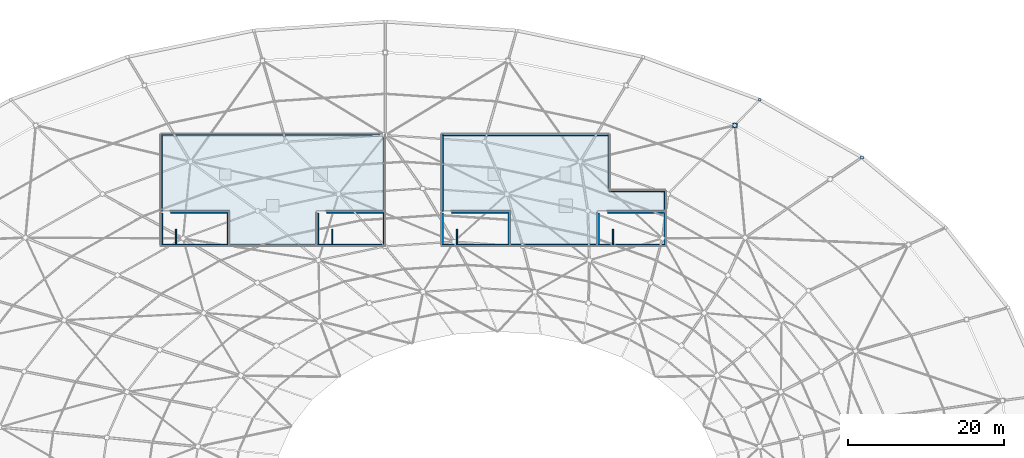
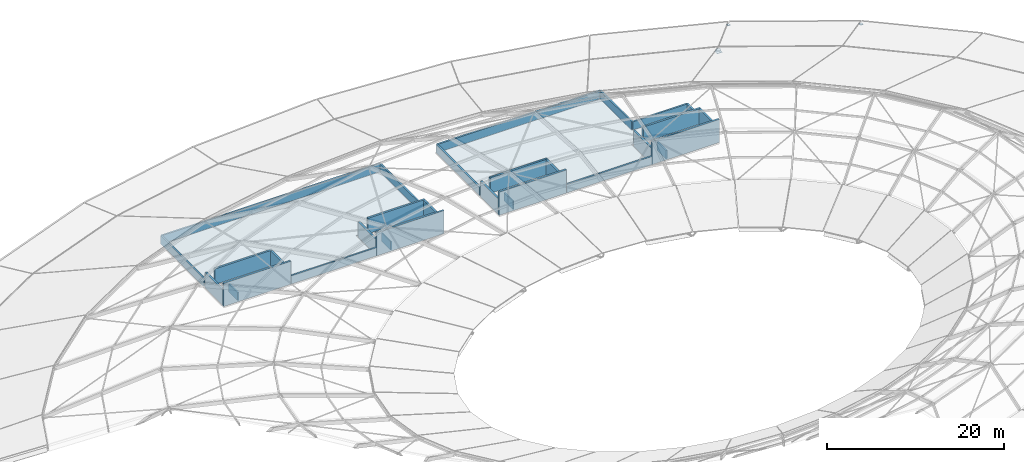
# One storey, part 23 of 30: 30 walls, 4 plates, 2 roofs.
"""IFC4 building model written with IfcOpenShell, lengths in metres."""

from ifc_helpers import new_model, si_unit, direction, frame, frame_2d, origin, origin_2d, place, context, subcontext, project, spatial, polyline, rectangle, outline, extrude, material, layer, layer_set, type_object, element, save


model = new_model("IFC4")

# Units and contexts
model_context = context("Model", 3, precision=1e-05, world=origin(), true_north=direction((0.0, 1.0)))
body_context = subcontext(model_context, "Body", "Model", "MODEL_VIEW")
ifc_project = project(units=[si_unit("LENGTHUNIT", "METRE"), si_unit("AREAUNIT", "SQUARE_METRE"), si_unit("VOLUMEUNIT", "CUBIC_METRE"), si_unit("PLANEANGLEUNIT", "RADIAN"), si_unit("MASSUNIT", "GRAM", prefix="KILO")], contexts=[model_context])

# Site, building, storey
site_placement = place(None, origin())
site = spatial("IfcSite", under=ifc_project, at=site_placement, CompositionType="ELEMENT")
building_placement = place(site_placement, origin())
building = spatial("IfcBuilding", under=site, at=building_placement, Name="Namkhue Oval Health Centre", CompositionType="ELEMENT")
storey_placement = place(building_placement, frame((0.0, 0.0, 26.39990234375)))
storey = spatial("IfcBuildingStorey", under=building, at=storey_placement, Name="RF", CompositionType="ELEMENT", Elevation=26.39990234375)

# Plates
ifc_material_1 = material(Name="Structural steel EN 10025-2 S355JR (TCVN 5575:2024)", Category="steel")
ifc_layer_1 = layer(ifc_material_1, 0.02490234375)
ifc_layer_set_1 = layer_set([ifc_layer_1], Name="Structural steel EN 10025-2 S355JR (TCVN 5575:2024)")
plate_type_1 = type_object("IfcPlateType", Name="BASE SPLICE PLATE 660X660X25", PredefinedType="USERDEFINED", material=ifc_layer_set_1)
plate_1_placement = place(storey_placement, frame((131.201171875, 105.49658203125, 0.047607421875), z_axis=(0.0, 0.0, 1.0), x_axis=(1.0, 0.0, 0.0)))
element("IfcPlate", 1, at=plate_1_placement, inside=storey, type_object=plate_type_1, Name="Gridshell OR Ring Bearing Plate 6", ObjectType="BASE_PLATE", PredefinedType="USERDEFINED", context=body_context, shape_type="SweptSolid", body=[
    extrude(rectangle(XDim=0.659912109375, YDim=0.659912109375, at=origin_2d()), origin(), (0.0, 0.0, 1.0), 0.02490234375),
])
ifc_layer_2 = layer(ifc_material_1, 0.02001953125)
ifc_layer_set_2 = layer_set([ifc_layer_2], Name="Structural steel EN 10025-2 S355JR (TCVN 5575:2024)")
plate_type_2 = type_object("IfcPlateType", Name="GRIDSHELL GUSSET PLATE 500X500X20", PredefinedType="USERDEFINED", material=ifc_layer_set_2)
plate_2_placement = place(storey_placement, frame((131.201171875, 105.49658203125, 0.31005859375), z_axis=(0.0, 0.0, 1.0), x_axis=(0.55557023302, 0.831469612303, 0.0)))
element("IfcPlate", 2, at=plate_2_placement, inside=storey, type_object=plate_type_2, Name="Gridshell Node Gusset Plate K1-6", ObjectType="GUSSET_PLATE", PredefinedType="USERDEFINED", context=body_context, shape_type="SweptSolid", body=[
    extrude(rectangle(XDim=0.5, YDim=0.5, at=origin_2d()), origin(), (0.0, 0.0, 1.0), 0.02001953125),
])
ifc_layer_3 = layer(ifc_material_1, 0.02001953125)
ifc_layer_set_3 = layer_set([ifc_layer_3], Name="Structural steel EN 10025-2 S355JR (TCVN 5575:2024)")
plate_type_3 = type_object("IfcPlateType", Name="STEEL END CAP PLATE 340X340X20", PredefinedType="USERDEFINED", material=ifc_layer_set_3)
plate_3_placement = place(storey_placement, frame((134.4013671875, 108.789306640625, 0.655029296875), z_axis=(0.0, 0.0, 1.0), x_axis=(1.0, 0.0, 0.0)))
element("IfcPlate", 3, at=plate_3_placement, inside=storey, type_object=plate_type_3, Name="Outer Eaves Strut Cap Plate 6", ObjectType="BASE_PLATE", PredefinedType="USERDEFINED", context=body_context, shape_type="SweptSolid", body=[
    extrude(rectangle(XDim=0.340087890625, YDim=0.340087890625, at=origin_2d()), origin(), (0.0, 0.0, 1.0), 0.02001953125),
])
ifc_layer_4 = layer(ifc_material_1, 0.02197265625)
ifc_layer_set_4 = layer_set([ifc_layer_4], Name="Structural steel EN 10025-2 S355JR (TCVN 5575:2024)")
plate_type_4 = type_object("IfcPlateType", Name="STEEL END CAP PLATE 380X380X22", PredefinedType="USERDEFINED", material=ifc_layer_set_4)
plate_4_placement = place(storey_placement, frame((147.494140625, 101.402099609375, 0.654052734375), z_axis=(0.0, 0.0, 1.0), x_axis=(1.0, 0.0, 0.0)))
element("IfcPlate", 4, at=plate_4_placement, inside=storey, type_object=plate_type_4, Name="Outer Eaves Strut Cap Plate 5", ObjectType="BASE_PLATE", PredefinedType="USERDEFINED", context=body_context, shape_type="SweptSolid", body=[
    extrude(rectangle(XDim=0.3798828125, YDim=0.3798828125, at=origin_2d()), origin(), (0.0, 0.0, 1.0), 0.02197265625),
])

# Walls
ifc_material_2 = material(Name="Precast architectural concrete C35/45 (TCVN B40)", Category="concrete")
ifc_layer_5 = layer(ifc_material_2, 0.18505859375)
ifc_layer_set_5 = layer_set([ifc_layer_5], Name="Precast architectural concrete C35/45 (TCVN B40)")
wall_type_1 = type_object("IfcWallType", Name="ROOF PARAPET WALL 185", PredefinedType="PARAPET", material=ifc_layer_set_5)
for number, where, z_axis, x_axis, name in (
    (5, (59.60009765625, 90.2099609375, 0.0), (0.0, 0.0, 1.0), (0.0, 1.0, 0.0), "Stair ST-03 RF Head-House Well Parapet Curb"),
    (6, (79.60009765625, 90.2099609375, 0.0), (0.0, 0.0, 1.0), (0.0, 1.0, 0.0), "Stair ST-04 RF Head-House Well Parapet Curb"),
    (7, (95.60009765625, 90.2099609375, 0.0), (0.0, 0.0, 1.0), (0.0, 1.0, 0.0), "Stair ST-05 RF Head-House Well Parapet Curb"),
    (8, (115.60009765625, 90.2099609375, 0.0), (0.0, 0.0, 1.0), (0.0, 1.0, 0.0), "Stair ST-06 RF Head-House Well Parapet Curb"),
):
    element("IfcWall", number, at=place(storey_placement, frame(where, z_axis=z_axis, x_axis=x_axis)), inside=storey, type_object=wall_type_1, Name=name, PredefinedType="PARAPET", context=body_context, shape_type="SweptSolid", body=[
        extrude(rectangle(XDim=1.989990234375, YDim=0.18505859375, at=frame_2d((0.9951171875, 0.0))), origin(), (0.0, 0.0, 1.0), 1.150146484375),
    ])
ifc_layer_6 = layer(ifc_material_2, 0.205078125)
ifc_layer_set_6 = layer_set([ifc_layer_6], Name="Precast architectural concrete C35/45 (TCVN B40)")
wall_type_2 = type_object("IfcWallType", Name="ROOF PARAPET WALL 205", PredefinedType="PARAPET", material=ifc_layer_set_6)
wall_1_placement = place(storey_placement, frame((57.702392578125, 94.501953125, 0.0), z_axis=(0.0, 0.0, 1.0), x_axis=(0.0, 1.0, 0.0)))
element("IfcWall", 9, at=wall_1_placement, inside=storey, type_object=wall_type_2, Name="Volume V2 RF Roof Parapet Wall 1", PredefinedType="PARAPET", context=body_context, shape_type="SweptSolid", body=[
    extrude(rectangle(XDim=9.795654296875, YDim=0.205078125, at=frame_2d((4.89794921875, 0.0))), origin(), (0.0, 0.0, 1.0), 1.150146484375),
])
wall_2_placement = place(storey_placement, frame((57.702392578125, 104.297607421875, 0.0), z_axis=(0.0, 0.0, 1.0), x_axis=(1.0, 0.0, 0.0)))
element("IfcWall", 10, at=wall_2_placement, inside=storey, type_object=wall_type_2, Name="Volume V2 RF Roof Parapet Wall 2", PredefinedType="PARAPET", context=body_context, shape_type="SweptSolid", body=[
    extrude(rectangle(XDim=28.59521484375, YDim=0.205078125, at=frame_2d((14.297607421875, 0.0))), origin(), (0.0, 0.0, 1.0), 1.150146484375),
])
wall_3_placement = place(storey_placement, frame((86.297607421875, 104.297607421875, 0.0), z_axis=(0.0, 0.0, 1.0), x_axis=(0.0, -1.0, 0.0)))
element("IfcWall", 11, at=wall_3_placement, inside=storey, type_object=wall_type_2, Name="Volume V2 RF Roof Parapet Wall 3", PredefinedType="PARAPET", context=body_context, shape_type="SweptSolid", body=[
    extrude(rectangle(XDim=9.795654296875, YDim=0.205078125, at=frame_2d((4.89794921875, 0.0))), origin(), (0.0, 0.0, 1.0), 1.150146484375),
])
wall_4_placement = place(storey_placement, frame((77.597900390625, 90.1025390625, 0.0), z_axis=(0.0, 0.0, 1.0), x_axis=(-1.0, 0.0, 0.0)))
element("IfcWall", 12, at=wall_4_placement, inside=storey, type_object=wall_type_2, Name="Volume V2 RF Roof Parapet Wall 4", PredefinedType="PARAPET", context=body_context, shape_type="SweptSolid", body=[
    extrude(rectangle(XDim=11.19580078125, YDim=0.205078125, at=frame_2d((5.597900390625, 0.0))), origin(), (0.0, 0.0, 1.0), 1.150146484375),
])
ifc_layer_7 = layer(ifc_material_2, 0.22509765625)
ifc_layer_set_7 = layer_set([ifc_layer_7], Name="Precast architectural concrete C35/45 (TCVN B40)")
wall_type_3 = type_object("IfcWallType", Name="ROOF PARAPET WALL 225", PredefinedType="PARAPET", material=ifc_layer_set_7)
wall_5_placement = place(storey_placement, frame((93.71240234375, 94.501953125, 0.0), z_axis=(0.0, 0.0, 1.0), x_axis=(0.0, 1.0, 0.0)))
element("IfcWall", 13, at=wall_5_placement, inside=storey, type_object=wall_type_3, Name="Volume V3 RF Roof Parapet Wall 1", PredefinedType="PARAPET", context=body_context, shape_type="SweptSolid", body=[
    extrude(rectangle(XDim=9.78564453125, YDim=0.22509765625, at=frame_2d((4.892822265625, 0.0))), origin(), (0.0, 0.0, 1.0), 1.150146484375),
])
wall_6_placement = place(storey_placement, frame((93.71240234375, 104.28759765625, 0.0), z_axis=(0.0, 0.0, 1.0), x_axis=(1.0, 0.0, 0.0)))
element("IfcWall", 14, at=wall_6_placement, inside=storey, type_object=wall_type_3, Name="Volume V3 RF Roof Parapet Wall 2", PredefinedType="PARAPET", context=body_context, shape_type="SweptSolid", body=[
    extrude(rectangle(XDim=21.375, YDim=0.22509765625, at=frame_2d((10.6875, 0.0))), origin(), (0.0, 0.0, 1.0), 1.150146484375),
])
for number, where, z_axis, x_axis, name in (
    (15, (115.08740234375, 104.28759765625, 0.0), (0.0, 0.0, 1.0), (0.0, -1.0, 0.0), "Volume V3 RF Roof Parapet Wall 3"),
    (16, (115.08740234375, 97.08740234375, 0.0), (0.0, 0.0, 1.0), (1.0, 0.0, 0.0), "Volume V3 RF Roof Parapet Wall 4"),
):
    element("IfcWall", number, at=place(storey_placement, frame(where, z_axis=z_axis, x_axis=x_axis)), inside=storey, type_object=wall_type_3, Name=name, PredefinedType="PARAPET", context=body_context, shape_type="SweptSolid", body=[
        extrude(rectangle(XDim=7.2001953125, YDim=0.22509765625, at=frame_2d((3.60009765625, 0.0))), origin(), (0.0, 0.0, 1.0), 1.150146484375),
    ])
wall_7_placement = place(storey_placement, frame((122.28759765625, 97.08740234375, 0.0), z_axis=(0.0, 0.0, 1.0), x_axis=(0.0, -1.0, 0.0)))
element("IfcWall", 17, at=wall_7_placement, inside=storey, type_object=wall_type_3, Name="Volume V3 RF Roof Parapet Wall 5", PredefinedType="PARAPET", context=body_context, shape_type="SweptSolid", body=[
    extrude(rectangle(XDim=2.58544921875, YDim=0.22509765625, at=frame_2d((1.292724609375, 0.0))), origin(), (0.0, 0.0, 1.0), 1.150146484375),
])
wall_8_placement = place(storey_placement, frame((113.597900390625, 90.112548828125, 0.0), z_axis=(0.0, 0.0, 1.0), x_axis=(-1.0, 0.0, 0.0)))
element("IfcWall", 18, at=wall_8_placement, inside=storey, type_object=wall_type_3, Name="Volume V3 RF Roof Parapet Wall 6", PredefinedType="PARAPET", context=body_context, shape_type="SweptSolid", body=[
    extrude(rectangle(XDim=11.19580078125, YDim=0.22509765625, at=frame_2d((5.597900390625, 0.0))), origin(), (0.0, 0.0, 1.0), 1.150146484375),
])
ifc_material_3 = material(Name="Reinforced concrete C35/45 (TCVN B40)", Category="concrete")
ifc_layer_8 = layer(ifc_material_3, 0.25)
ifc_layer_set_8 = layer_set([ifc_layer_8], Name="Reinforced concrete C35/45 (TCVN B40)")
wall_type_4 = type_object("IfcWallType", Name="SHEAR CORE WALL EXT 250", PredefinedType="SHEAR", material=ifc_layer_set_8)
wall_9_placement = place(storey_placement, frame((57.60009765625, 90.125, 0.0), z_axis=(0.0, 0.0, 1.0), x_axis=(1.0, 0.0, 0.0)))
element("IfcWall", 19, at=wall_9_placement, inside=storey, type_object=wall_type_4, Name="Core SC-03 RF Shear Wall S", PredefinedType="SHEAR", context=body_context, shape_type="SweptSolid", body=[
    extrude(rectangle(XDim=8.7998046875, YDim=0.25, at=frame_2d((4.39990234375, 0.0))), origin(), (0.0, 0.0, 1.0), 3.2001953125),
])
wall_10_placement = place(storey_placement, frame((66.27490234375, 90.25, 0.0), z_axis=(0.0, 0.0, 1.0), x_axis=(0.0, 1.0, 0.0)))
element("IfcWall", 20, at=wall_10_placement, inside=storey, type_object=wall_type_4, Name="Core SC-03 RF Shear Wall E", PredefinedType="SHEAR", context=body_context, shape_type="SweptSolid", body=[
    extrude(rectangle(XDim=4.0, YDim=0.25, at=frame_2d((2.0, 0.0))), origin(), (0.0, 0.0, 1.0), 2.150146484375),
])
wall_11_placement = place(storey_placement, frame((66.39990234375, 94.375, 0.0), z_axis=(0.0, 0.0, 1.0), x_axis=(-1.0, 0.0, 0.0)))
element("IfcWall", 21, at=wall_11_placement, inside=storey, type_object=wall_type_4, Name="Core SC-03 RF Shear Wall N", PredefinedType="SHEAR", context=body_context, shape_type="SweptSolid", body=[
    extrude(rectangle(XDim=7.5, YDim=0.25, at=frame_2d((3.75, 0.0))), origin(), (0.0, 0.0, 1.0), 2.150146484375),
])
wall_12_placement = place(storey_placement, frame((57.72509765625, 94.25, 0.0), z_axis=(0.0, 0.0, 1.0), x_axis=(0.0, -1.0, 0.0)))
element("IfcWall", 22, at=wall_12_placement, inside=storey, type_object=wall_type_4, Name="Core SC-03 RF Shear Wall W", PredefinedType="SHEAR", context=body_context, shape_type="SweptSolid", body=[
    extrude(rectangle(XDim=4.0, YDim=0.25, at=frame_2d((2.0, 0.0))), origin(), (0.0, 0.0, 1.0), 2.150146484375),
])
wall_13_placement = place(storey_placement, frame((77.60009765625, 90.125, 0.0), z_axis=(0.0, 0.0, 1.0), x_axis=(1.0, 0.0, 0.0)))
element("IfcWall", 23, at=wall_13_placement, inside=storey, type_object=wall_type_4, Name="Core SC-04 RF Shear Wall S", PredefinedType="SHEAR", context=body_context, shape_type="SweptSolid", body=[
    extrude(rectangle(XDim=8.7998046875, YDim=0.25, at=frame_2d((4.39990234375, 0.0))), origin(), (0.0, 0.0, 1.0), 3.2001953125),
])
wall_14_placement = place(storey_placement, frame((86.27490234375, 90.25, 0.0), z_axis=(0.0, 0.0, 1.0), x_axis=(0.0, 1.0, 0.0)))
element("IfcWall", 24, at=wall_14_placement, inside=storey, type_object=wall_type_4, Name="Core SC-04 RF Shear Wall E", PredefinedType="SHEAR", context=body_context, shape_type="SweptSolid", body=[
    extrude(rectangle(XDim=4.0, YDim=0.25, at=frame_2d((2.0, 0.0))), origin(), (0.0, 0.0, 1.0), 2.150146484375),
])
wall_15_placement = place(storey_placement, frame((86.39990234375, 94.375, 0.0), z_axis=(0.0, 0.0, 1.0), x_axis=(-1.0, 0.0, 0.0)))
element("IfcWall", 25, at=wall_15_placement, inside=storey, type_object=wall_type_4, Name="Core SC-04 RF Shear Wall N", PredefinedType="SHEAR", context=body_context, shape_type="SweptSolid", body=[
    extrude(rectangle(XDim=7.5, YDim=0.25, at=frame_2d((3.75, 0.0))), origin(), (0.0, 0.0, 1.0), 2.150146484375),
])
wall_16_placement = place(storey_placement, frame((77.72509765625, 94.25, 0.0), z_axis=(0.0, 0.0, 1.0), x_axis=(0.0, -1.0, 0.0)))
element("IfcWall", 26, at=wall_16_placement, inside=storey, type_object=wall_type_4, Name="Core SC-04 RF Shear Wall W", PredefinedType="SHEAR", context=body_context, shape_type="SweptSolid", body=[
    extrude(rectangle(XDim=4.0, YDim=0.25, at=frame_2d((2.0, 0.0))), origin(), (0.0, 0.0, 1.0), 2.150146484375),
])
wall_17_placement = place(storey_placement, frame((93.60009765625, 90.125, 0.0), z_axis=(0.0, 0.0, 1.0), x_axis=(1.0, 0.0, 0.0)))
element("IfcWall", 27, at=wall_17_placement, inside=storey, type_object=wall_type_4, Name="Core SC-05 RF Shear Wall S", PredefinedType="SHEAR", context=body_context, shape_type="SweptSolid", body=[
    extrude(rectangle(XDim=8.7998046875, YDim=0.25, at=frame_2d((4.39990234375, 0.0))), origin(), (0.0, 0.0, 1.0), 3.2001953125),
])
wall_18_placement = place(storey_placement, frame((102.27490234375, 90.25, 0.0), z_axis=(0.0, 0.0, 1.0), x_axis=(0.0, 1.0, 0.0)))
element("IfcWall", 28, at=wall_18_placement, inside=storey, type_object=wall_type_4, Name="Core SC-05 RF Shear Wall E", PredefinedType="SHEAR", context=body_context, shape_type="SweptSolid", body=[
    extrude(rectangle(XDim=4.0, YDim=0.25, at=frame_2d((2.0, 0.0))), origin(), (0.0, 0.0, 1.0), 2.150146484375),
])
wall_19_placement = place(storey_placement, frame((102.39990234375, 94.375, 0.0), z_axis=(0.0, 0.0, 1.0), x_axis=(-1.0, 0.0, 0.0)))
element("IfcWall", 29, at=wall_19_placement, inside=storey, type_object=wall_type_4, Name="Core SC-05 RF Shear Wall N", PredefinedType="SHEAR", context=body_context, shape_type="SweptSolid", body=[
    extrude(rectangle(XDim=7.5, YDim=0.25, at=frame_2d((3.75, 0.0))), origin(), (0.0, 0.0, 1.0), 2.150146484375),
])
wall_20_placement = place(storey_placement, frame((93.72509765625, 94.25, 0.0), z_axis=(0.0, 0.0, 1.0), x_axis=(0.0, -1.0, 0.0)))
element("IfcWall", 30, at=wall_20_placement, inside=storey, type_object=wall_type_4, Name="Core SC-05 RF Shear Wall W", PredefinedType="SHEAR", context=body_context, shape_type="SweptSolid", body=[
    extrude(rectangle(XDim=4.0, YDim=0.25, at=frame_2d((2.0, 0.0))), origin(), (0.0, 0.0, 1.0), 2.150146484375),
])
wall_21_placement = place(storey_placement, frame((113.60009765625, 90.125, 0.0), z_axis=(0.0, 0.0, 1.0), x_axis=(1.0, 0.0, 0.0)))
element("IfcWall", 31, at=wall_21_placement, inside=storey, type_object=wall_type_4, Name="Core SC-06 RF Shear Wall S", PredefinedType="SHEAR", context=body_context, shape_type="SweptSolid", body=[
    extrude(rectangle(XDim=8.7998046875, YDim=0.25, at=frame_2d((4.39990234375, 0.0))), origin(), (0.0, 0.0, 1.0), 3.2001953125),
])
wall_22_placement = place(storey_placement, frame((122.27490234375, 90.25, 0.0), z_axis=(0.0, 0.0, 1.0), x_axis=(0.0, 1.0, 0.0)))
element("IfcWall", 32, at=wall_22_placement, inside=storey, type_object=wall_type_4, Name="Core SC-06 RF Shear Wall E", PredefinedType="SHEAR", context=body_context, shape_type="SweptSolid", body=[
    extrude(rectangle(XDim=4.0, YDim=0.25, at=frame_2d((2.0, 0.0))), origin(), (0.0, 0.0, 1.0), 2.150146484375),
])
wall_23_placement = place(storey_placement, frame((122.39990234375, 94.375, 0.0), z_axis=(0.0, 0.0, 1.0), x_axis=(-1.0, 0.0, 0.0)))
element("IfcWall", 33, at=wall_23_placement, inside=storey, type_object=wall_type_4, Name="Core SC-06 RF Shear Wall N", PredefinedType="SHEAR", context=body_context, shape_type="SweptSolid", body=[
    extrude(rectangle(XDim=7.5, YDim=0.25, at=frame_2d((3.75, 0.0))), origin(), (0.0, 0.0, 1.0), 2.150146484375),
])
wall_24_placement = place(storey_placement, frame((113.72509765625, 94.25, 0.0), z_axis=(0.0, 0.0, 1.0), x_axis=(0.0, -1.0, 0.0)))
element("IfcWall", 34, at=wall_24_placement, inside=storey, type_object=wall_type_4, Name="Core SC-06 RF Shear Wall W", PredefinedType="SHEAR", context=body_context, shape_type="SweptSolid", body=[
    extrude(rectangle(XDim=4.0, YDim=0.25, at=frame_2d((2.0, 0.0))), origin(), (0.0, 0.0, 1.0), 2.150146484375),
])

# Roofs
ifc_material_4 = material(Name="Standing-seam aluminium-zinc insulated roofing", Category="aluminium")
ifc_layer_9 = layer(ifc_material_4, 0.0400390625)
ifc_layer_set_9 = layer_set([ifc_layer_9], Name="Standing-seam aluminium-zinc insulated roofing")
roof_type = type_object("IfcRoofType", Name="WING INSULATED FLAT ROOF ASSEMBLY", PredefinedType="FLAT_ROOF", material=ifc_layer_set_9)
roof_1_placement = place(storey_placement, origin())
element("IfcRoof", 35, at=roof_1_placement, inside=storey, type_object=roof_type, Name="Volume V2 RF Insulated Flat Roof Assembly 1", PredefinedType="FLAT_ROOF", context=body_context, shape_type="SweptSolid", body=[
    extrude(outline(polyline([(86.139892578125, 104.139892578125), (86.139892578125, 94.580078125), (77.60009765625, 94.580078125), (77.59228515625, 94.57958984375), (77.58447265625, 94.57861328125), (77.576904296875, 94.57666015625), (77.5693359375, 94.573974609375), (77.562255859375, 94.570556640625), (77.5556640625, 94.56640625), (77.54931640625, 94.561767578125), (77.54345703125, 94.556640625), (77.5380859375, 94.55078125), (77.533447265625, 94.54443359375), (77.529296875, 94.53759765625), (77.526123046875, 94.530517578125), (77.5234375, 94.523193359375), (77.521484375, 94.515625), (77.5205078125, 94.5078125), (77.52001953125, 94.5), (77.52001953125, 90.260009765625), (66.47998046875, 90.260009765625), (66.47998046875, 94.5), (66.4794921875, 94.5078125), (66.478515625, 94.515625), (66.4765625, 94.523193359375), (66.473876953125, 94.530517578125), (66.470703125, 94.53759765625), (66.466552734375, 94.54443359375), (66.4619140625, 94.55078125), (66.45654296875, 94.556640625), (66.45068359375, 94.561767578125), (66.4443359375, 94.56640625), (66.437744140625, 94.570556640625), (66.4306640625, 94.573974609375), (66.423095703125, 94.57666015625), (66.41552734375, 94.57861328125), (66.40771484375, 94.57958984375), (66.39990234375, 94.580078125), (57.860107421875, 94.580078125), (57.860107421875, 104.139892578125), (86.139892578125, 104.139892578125)])), origin(), (0.0, 0.0, 1.0), 0.0400390625),
])
roof_2_placement = place(storey_placement, origin())
element("IfcRoof", 36, at=roof_2_placement, inside=storey, type_object=roof_type, Name="Volume V3 RF Insulated Flat Roof Assembly 1", PredefinedType="FLAT_ROOF", context=body_context, shape_type="SweptSolid", body=[
    extrude(outline(polyline([(114.93994140625, 104.139892578125), (114.93994140625, 97.199951171875), (114.94140625, 97.174560546875), (114.945068359375, 97.1494140625), (114.951171875, 97.12451171875), (114.959716796875, 97.1005859375), (114.970703125, 97.077392578125), (114.98388671875, 97.0556640625), (114.9990234375, 97.03515625), (115.01611328125, 97.01611328125), (115.03515625, 96.9990234375), (115.0556640625, 96.98388671875), (115.077392578125, 96.970703125), (115.1005859375, 96.959716796875), (115.12451171875, 96.951171875), (115.1494140625, 96.945068359375), (115.174560546875, 96.94140625), (115.199951171875, 96.93994140625), (122.139892578125, 96.93994140625), (122.139892578125, 94.580078125), (113.60009765625, 94.580078125), (113.59228515625, 94.57958984375), (113.58447265625, 94.57861328125), (113.576904296875, 94.57666015625), (113.5693359375, 94.573974609375), (113.562255859375, 94.570556640625), (113.5556640625, 94.56640625), (113.54931640625, 94.561767578125), (113.54345703125, 94.556640625), (113.5380859375, 94.55078125), (113.533447265625, 94.54443359375), (113.529296875, 94.53759765625), (113.526123046875, 94.530517578125), (113.5234375, 94.523193359375), (113.521484375, 94.515625), (113.5205078125, 94.5078125), (113.52001953125, 94.5), (113.52001953125, 90.260009765625), (102.47998046875, 90.260009765625), (102.47998046875, 94.5), (102.4794921875, 94.5078125), (102.478515625, 94.515625), (102.4765625, 94.523193359375), (102.473876953125, 94.530517578125), (102.470703125, 94.53759765625), (102.466552734375, 94.54443359375), (102.4619140625, 94.55078125), (102.45654296875, 94.556640625), (102.45068359375, 94.561767578125), (102.4443359375, 94.56640625), (102.437744140625, 94.570556640625), (102.4306640625, 94.573974609375), (102.423095703125, 94.57666015625), (102.41552734375, 94.57861328125), (102.40771484375, 94.57958984375), (102.39990234375, 94.580078125), (93.860107421875, 94.580078125), (93.860107421875, 104.139892578125), (114.93994140625, 104.139892578125)])), origin(), (0.0, 0.0, 1.0), 0.0400390625),
])

save(model, "model.ifc")
